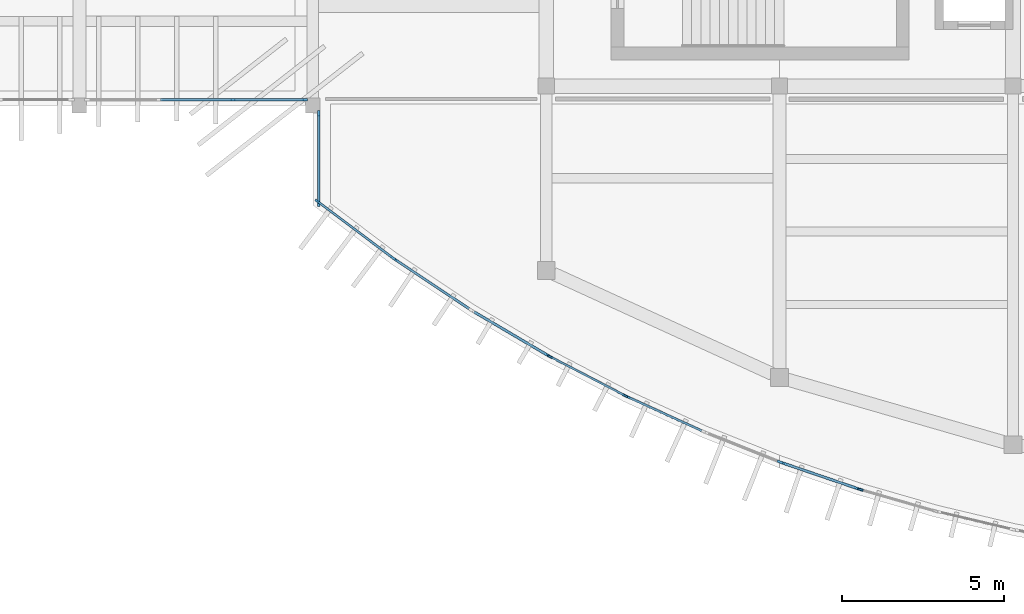
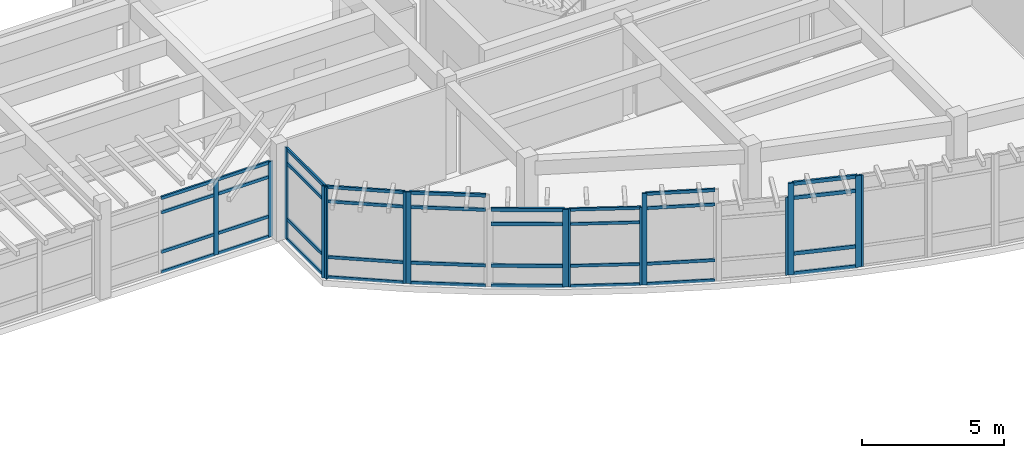
# One storey, part 18 of 60: 51 members, 10 elements without a shape of their own.
"""IFC4 building model written with IfcOpenShell, lengths in metres."""

from ifc_helpers import new_model, si_unit, direction, frame, origin, origin_2d, place, context, subcontext, project, spatial, rectangle, extrude, material, layer, layer_set, material_profile, profile_set, type_object, element, aggregate, save


model = new_model("IFC4")

# Units and contexts
model_context = context("Model", 3, precision=1e-05, world=origin(), true_north=direction((0.0, 1.0)))
body_context = subcontext(model_context, "Body", "Model", "MODEL_VIEW")
ifc_project = project(units=[si_unit("LENGTHUNIT", "METRE"), si_unit("AREAUNIT", "SQUARE_METRE"), si_unit("VOLUMEUNIT", "CUBIC_METRE"), si_unit("PLANEANGLEUNIT", "RADIAN"), si_unit("MASSUNIT", "GRAM", prefix="KILO")], contexts=[model_context])

# Site, building, storey
site_placement = place(None, origin())
site = spatial("IfcSite", under=ifc_project, at=site_placement, CompositionType="ELEMENT")
building_placement = place(site_placement, origin())
building = spatial("IfcBuilding", under=site, at=building_placement, Name="Brisavento Harbour Community Centre", CompositionType="ELEMENT")
storey_placement = place(building_placement, frame((0.0, 0.0, 4.5)))
storey = spatial("IfcBuildingStorey", under=building, at=storey_placement, Name="L01", CompositionType="ELEMENT", Elevation=4.5)

# Curtain wall, members
ifc_material = material(Name="Marine-anodised aluminium AW-6063-T6", Category="aluminium")
ifc_layer_1 = layer(ifc_material, 0.179931640625, Name="Marine-anodised aluminium AW-6063-T6")
ifc_layer_set_1 = layer_set([ifc_layer_1], Name="Marine-anodised aluminium AW-6063-T6")
curtain_wall_type_1 = type_object("IfcCurtainWallType", Name="CW-SYS-05", PredefinedType="USERDEFINED", material=ifc_layer_set_1)
curtain_wall_1_placement = place(storey_placement, origin())
curtain_wall_1 = element("IfcCurtainWall", 1, at=curtain_wall_1_placement, inside=storey, type_object=curtain_wall_type_1, Name="L01 V3 unitised curtain wall 061", ObjectType="UNITISED CURTAIN WALL", PredefinedType="USERDEFINED")
ifc_material_profile_1 = material_profile(ifc_material, rectangle(XDim=0.06494140625, YDim=0.1650390625, at=origin_2d()), Name="Marine-anodised aluminium AW-6063-T6")
ifc_profile_set_1 = profile_set([ifc_material_profile_1], Name="Marine-anodised aluminium AW-6063-T6")
member_type_1 = type_object("IfcMemberType", Name="CWM-01", PredefinedType="MULLION", material=ifc_profile_set_1)
member_1_placement = place(storey_placement, frame((117.63818359375, 5.447998046875, 0.0), z_axis=(0.0, 0.0, 1.0), x_axis=(-0.461718322689, -0.887026600781, 0.0)))
member_1 = element("IfcMember", 2, at=member_1_placement, type_object=member_type_1, Name="CW-05 mullion 1", PredefinedType="MULLION", context=body_context, shape_type="SweptSolid", body=[
    extrude(rectangle(XDim=0.06494140625, YDim=0.1650390625, at=origin_2d()), origin(), (0.0, 0.0, 1.0), 3.35009765625),
])
member_2_placement = place(storey_placement, frame((115.327880859375, 6.650634765625, 0.0), z_axis=(0.0, 0.0, 1.0), x_axis=(-0.461718322689, -0.887026600781, 0.0)))
member_2 = element("IfcMember", 3, at=member_2_placement, type_object=member_type_1, Name="CW-05 mullion 2", PredefinedType="MULLION", context=body_context, shape_type="SweptSolid", body=[
    extrude(rectangle(XDim=0.06494140625, YDim=0.1650390625, at=origin_2d()), origin(), (0.0, 0.0, 1.0), 3.35009765625),
])

# Curtain wall, member
ifc_layer_2 = layer(ifc_material, 0.179931640625, Name="Marine-anodised aluminium AW-6063-T6")
ifc_layer_set_2 = layer_set([ifc_layer_2], Name="Marine-anodised aluminium AW-6063-T6")
curtain_wall_type_2 = type_object("IfcCurtainWallType", Name="CW-SYS-09", PredefinedType="USERDEFINED", material=ifc_layer_set_2)
curtain_wall_2_placement = place(storey_placement, origin())
curtain_wall_2 = element("IfcCurtainWall", 4, at=curtain_wall_2_placement, inside=storey, type_object=curtain_wall_type_2, Name="L01 V3 unitised curtain wall 065", ObjectType="UNITISED CURTAIN WALL", PredefinedType="USERDEFINED")
member_3_placement = place(storey_placement, frame((124.8984375, 2.55419921875, 0.0), z_axis=(0.0, 0.0, 1.0), x_axis=(-0.277000545402, -0.960869761126, 0.0)))
member_3 = element("IfcMember", 5, at=member_3_placement, type_object=member_type_1, Name="CW-09 mullion 2", PredefinedType="MULLION", context=body_context, shape_type="SweptSolid", body=[
    extrude(rectangle(XDim=0.06494140625, YDim=0.1650390625, at=origin_2d()), origin(), (0.0, 0.0, 1.0), 3.949951171875),
])
aggregate(curtain_wall_2, [member_3])

# Curtain wall, members
ifc_layer_3 = layer(ifc_material, 0.179931640625, Name="Marine-anodised aluminium AW-6063-T6")
ifc_layer_set_3 = layer_set([ifc_layer_3], Name="Marine-anodised aluminium AW-6063-T6")
curtain_wall_type_3 = type_object("IfcCurtainWallType", Name="CW-SYS-22", PredefinedType="USERDEFINED", material=ifc_layer_set_3)
curtain_wall_3_placement = place(storey_placement, origin())
curtain_wall_3 = element("IfcCurtainWall", 6, at=curtain_wall_3_placement, inside=storey, type_object=curtain_wall_type_3, Name="L01 V2 unitised curtain wall 050", ObjectType="UNITISED CURTAIN WALL", PredefinedType="USERDEFINED")
ifc_material_profile_2 = material_profile(ifc_material, rectangle(XDim=0.070068359375, YDim=0.179931640625, at=origin_2d()), Name="Marine-anodised aluminium AW-6063-T6")
ifc_profile_set_2 = profile_set([ifc_material_profile_2], Name="Marine-anodised aluminium AW-6063-T6")
member_type_2 = type_object("IfcMemberType", Name="CWM-02", PredefinedType="MULLION", material=ifc_profile_set_2)
member_4_placement = place(storey_placement, frame((107.7548828125, 14.580078125, 0.0), z_axis=(0.0, 0.0, 1.0), x_axis=(0.0, -1.0, 0.0)))
member_4 = element("IfcMember", 7, at=member_4_placement, type_object=member_type_2, Name="CW-22 mullion 1", PredefinedType="MULLION", context=body_context, shape_type="SweptSolid", body=[
    extrude(rectangle(XDim=0.070068359375, YDim=0.179931640625, at=origin_2d()), origin(), (0.0, 0.0, 1.0), 3.25),
])
member_5_placement = place(storey_placement, frame((105.530029296875, 14.580078125, 0.0), z_axis=(0.0, 0.0, 1.0), x_axis=(0.0, -1.0, 0.0)))
member_5 = element("IfcMember", 8, at=member_5_placement, type_object=member_type_2, Name="CW-22 mullion 2", PredefinedType="MULLION", context=body_context, shape_type="SweptSolid", body=[
    extrude(rectangle(XDim=0.070068359375, YDim=0.179931640625, at=origin_2d()), origin(), (0.0, 0.0, 1.0), 3.25),
])

ifc_layer_4 = layer(ifc_material, 0.179931640625, Name="Marine-anodised aluminium AW-6063-T6")
ifc_layer_set_4 = layer_set([ifc_layer_4], Name="Marine-anodised aluminium AW-6063-T6")
curtain_wall_type_4 = type_object("IfcCurtainWallType", Name="CW-SYS-02", PredefinedType="USERDEFINED", material=ifc_layer_set_4)
curtain_wall_4_placement = place(storey_placement, origin())
curtain_wall_4 = element("IfcCurtainWall", 9, at=curtain_wall_4_placement, inside=storey, type_object=curtain_wall_type_4, Name="L01 V3 unitised curtain wall 058", ObjectType="UNITISED CURTAIN WALL", PredefinedType="USERDEFINED")
member_6_placement = place(storey_placement, frame((110.465576171875, 9.702392578125, 0.0), z_axis=(0.0, 0.0, 1.0), x_axis=(-0.600259014917, -0.79980567328, 0.0)))
member_6 = element("IfcMember", 10, at=member_6_placement, type_object=member_type_2, Name="CW-02 mullion 1", PredefinedType="MULLION", context=body_context, shape_type="SweptSolid", body=[
    extrude(rectangle(XDim=0.070068359375, YDim=0.179931640625, at=origin_2d()), origin(), (0.0, 0.0, 1.0), 3.949951171875),
])
member_7_placement = place(storey_placement, frame((108.150390625, 11.43994140625, 0.0), z_axis=(0.0, 0.0, 1.0), x_axis=(-0.600259014917, -0.79980567328, 0.0)))
member_7 = element("IfcMember", 11, at=member_7_placement, type_object=member_type_2, Name="CW-02 mullion 2", PredefinedType="MULLION", context=body_context, shape_type="SweptSolid", body=[
    extrude(rectangle(XDim=0.070068359375, YDim=0.179931640625, at=origin_2d()), origin(), (0.0, 0.0, 1.0), 3.949951171875),
])

# Curtain wall, member
ifc_layer_5 = layer(ifc_material, 0.179931640625, Name="Marine-anodised aluminium AW-6063-T6")
ifc_layer_set_5 = layer_set([ifc_layer_5], Name="Marine-anodised aluminium AW-6063-T6")
curtain_wall_type_5 = type_object("IfcCurtainWallType", Name="CW-SYS-06", PredefinedType="USERDEFINED", material=ifc_layer_set_5)
curtain_wall_5_placement = place(storey_placement, origin())
curtain_wall_5 = element("IfcCurtainWall", 12, at=curtain_wall_5_placement, inside=storey, type_object=curtain_wall_type_5, Name="L01 V3 unitised curtain wall 062", ObjectType="UNITISED CURTAIN WALL", PredefinedType="USERDEFINED")
member_8_placement = place(storey_placement, frame((117.72314453125, 5.40673828125, 0.0), z_axis=(0.0, 0.0, 1.0), x_axis=(-0.415490040189, -0.909597727846, 0.0)))
member_8 = element("IfcMember", 13, at=member_8_placement, type_object=member_type_2, Name="CW-06 mullion 2", PredefinedType="MULLION", context=body_context, shape_type="SweptSolid", body=[
    extrude(rectangle(XDim=0.070068359375, YDim=0.179931640625, at=origin_2d()), origin(), (0.0, 0.0, 1.0), 3.949951171875),
])

ifc_layer_6 = layer(ifc_material, 0.179931640625, Name="Marine-anodised aluminium AW-6063-T6")
ifc_layer_set_6 = layer_set([ifc_layer_6], Name="Marine-anodised aluminium AW-6063-T6")
curtain_wall_type_6 = type_object("IfcCurtainWallType", Name="CW-SYS-03", PredefinedType="USERDEFINED", material=ifc_layer_set_6)
curtain_wall_6_placement = place(storey_placement, origin())
curtain_wall_6 = element("IfcCurtainWall", 14, at=curtain_wall_6_placement, inside=storey, type_object=curtain_wall_type_6, Name="L01 V3 unitised curtain wall 059", ObjectType="UNITISED CURTAIN WALL", PredefinedType="USERDEFINED")
ifc_material_profile_3 = material_profile(ifc_material, rectangle(XDim=0.074951171875, YDim=0.18994140625, at=origin_2d()), Name="Marine-anodised aluminium AW-6063-T6")
ifc_profile_set_3 = profile_set([ifc_material_profile_3], Name="Marine-anodised aluminium AW-6063-T6")
member_type_3 = type_object("IfcMemberType", Name="CWM-03", PredefinedType="MULLION", material=ifc_profile_set_3)
member_9_placement = place(storey_placement, frame((110.5458984375, 9.6455078125, 0.0), z_axis=(0.0, 0.0, 1.0), x_axis=(-0.554067779199, -0.832471558705, 0.0)))
member_9 = element("IfcMember", 15, at=member_9_placement, type_object=member_type_3, Name="CW-03 mullion 2", PredefinedType="MULLION", context=body_context, shape_type="SweptSolid", body=[
    extrude(rectangle(XDim=0.074951171875, YDim=0.18994140625, at=origin_2d()), origin(), (0.0, 0.0, 1.0), 3.949951171875),
])

ifc_layer_7 = layer(ifc_material, 0.179931640625, Name="Marine-anodised aluminium AW-6063-T6")
ifc_layer_set_7 = layer_set([ifc_layer_7], Name="Marine-anodised aluminium AW-6063-T6")
curtain_wall_type_7 = type_object("IfcCurtainWallType", Name="CW-SYS-07", PredefinedType="USERDEFINED", material=ifc_layer_set_7)
curtain_wall_7_placement = place(storey_placement, origin())
curtain_wall_7 = element("IfcCurtainWall", 16, at=curtain_wall_7_placement, inside=storey, type_object=curtain_wall_type_7, Name="L01 V3 unitised curtain wall 063", ObjectType="UNITISED CURTAIN WALL", PredefinedType="USERDEFINED")
member_10_placement = place(storey_placement, frame((122.4150390625, 3.40234375, 0.0), z_axis=(0.0, 0.0, 1.0), x_axis=(-0.369379094613, -0.929278798027, 0.0)))
member_10 = element("IfcMember", 17, at=member_10_placement, type_object=member_type_3, Name="CW-07 mullion 1", PredefinedType="MULLION", context=body_context, shape_type="SweptSolid", body=[
    extrude(rectangle(XDim=0.074951171875, YDim=0.18994140625, at=origin_2d()), origin(), (0.0, 0.0, 1.0), 3.35009765625),
])
aggregate(curtain_wall_7, [member_10])

# Curtain wall, members
curtain_wall_8_placement = place(storey_placement, origin())
curtain_wall_8 = element("IfcCurtainWall", 18, at=curtain_wall_8_placement, inside=storey, type_object=curtain_wall_type_7, Name="L01 V3 unitised curtain wall 091", ObjectType="UNITISED CURTAIN WALL", PredefinedType="USERDEFINED")
member_11_placement = place(storey_placement, frame((108.179931640625, 11.38330078125, 0.0), z_axis=(0.0, 0.0, 1.0), x_axis=(-1.0, 0.0, 0.0)))
member_11 = element("IfcMember", 19, at=member_11_placement, type_object=member_type_3, Name="CW-07 mullion 1", PredefinedType="MULLION", context=body_context, shape_type="SweptSolid", body=[
    extrude(rectangle(XDim=0.074951171875, YDim=0.18994140625, at=origin_2d()), origin(), (0.0, 0.0, 1.0), 3.949951171875),
])
member_12_placement = place(storey_placement, frame((108.179931640625, 14.152587890625, 0.0), z_axis=(0.0, 0.0, 1.0), x_axis=(-1.0, 0.0, 0.0)))
member_12 = element("IfcMember", 20, at=member_12_placement, type_object=member_type_3, Name="CW-07 mullion 2", PredefinedType="MULLION", context=body_context, shape_type="SweptSolid", body=[
    extrude(rectangle(XDim=0.074951171875, YDim=0.18994140625, at=origin_2d()), origin(), (0.0, 0.0, 1.0), 3.949951171875),
])

# Curtain wall, member
ifc_layer_8 = layer(ifc_material, 0.179931640625, Name="Marine-anodised aluminium AW-6063-T6")
ifc_layer_set_8 = layer_set([ifc_layer_8], Name="Marine-anodised aluminium AW-6063-T6")
curtain_wall_type_8 = type_object("IfcCurtainWallType", Name="CW-SYS-04", PredefinedType="USERDEFINED", material=ifc_layer_set_8)
curtain_wall_9_placement = place(storey_placement, origin())
curtain_wall_9 = element("IfcCurtainWall", 21, at=curtain_wall_9_placement, inside=storey, type_object=curtain_wall_type_8, Name="L01 V3 unitised curtain wall 060", ObjectType="UNITISED CURTAIN WALL", PredefinedType="USERDEFINED")
ifc_material_profile_4 = material_profile(ifc_material, rectangle(XDim=0.080078125, YDim=0.2099609375, at=origin_2d()), Name="Marine-anodised aluminium AW-6063-T6")
ifc_profile_set_4 = profile_set([ifc_material_profile_4], Name="Marine-anodised aluminium AW-6063-T6")
member_type_4 = type_object("IfcMemberType", Name="CWM-04", PredefinedType="MULLION", material=ifc_profile_set_4)
member_13_placement = place(storey_placement, frame((115.241455078125, 6.69873046875, 0.0), z_axis=(0.0, 0.0, 1.0), x_axis=(-0.50787640703, -0.861429947925, 0.0)))
member_13 = element("IfcMember", 22, at=member_13_placement, type_object=member_type_4, Name="CW-04 mullion 1", PredefinedType="MULLION", context=body_context, shape_type="SweptSolid", body=[
    extrude(rectangle(XDim=0.080078125, YDim=0.2099609375, at=origin_2d()), origin(), (0.0, 0.0, 1.0), 3.35009765625),
])

# Curtain wall, members
ifc_layer_9 = layer(ifc_material, 0.179931640625, Name="Marine-anodised aluminium AW-6063-T6")
ifc_layer_set_9 = layer_set([ifc_layer_9], Name="Marine-anodised aluminium AW-6063-T6")
curtain_wall_type_9 = type_object("IfcCurtainWallType", Name="CW-SYS-08", PredefinedType="USERDEFINED", material=ifc_layer_set_9)
curtain_wall_10_placement = place(storey_placement, origin())
curtain_wall_10 = element("IfcCurtainWall", 23, at=curtain_wall_10_placement, inside=storey, type_object=curtain_wall_type_9, Name="L01 V3 unitised curtain wall 064", ObjectType="UNITISED CURTAIN WALL", PredefinedType="USERDEFINED")
member_14_placement = place(storey_placement, frame((124.803466796875, 2.584228515625, 0.0), z_axis=(0.0, 0.0, 1.0), x_axis=(-0.32317880016, -0.94633792227, 0.0)))
member_14 = element("IfcMember", 24, at=member_14_placement, type_object=member_type_4, Name="CW-08 mullion 1", PredefinedType="MULLION", context=body_context, shape_type="SweptSolid", body=[
    extrude(rectangle(XDim=0.080078125, YDim=0.2099609375, at=origin_2d()), origin(), (0.0, 0.0, 1.0), 3.949951171875),
])
member_15_placement = place(storey_placement, frame((122.512939453125, 3.366455078125, 0.0), z_axis=(0.0, 0.0, 1.0), x_axis=(-0.32317880016, -0.94633792227, 0.0)))
member_15 = element("IfcMember", 25, at=member_15_placement, type_object=member_type_4, Name="CW-08 mullion 2", PredefinedType="MULLION", context=body_context, shape_type="SweptSolid", body=[
    extrude(rectangle(XDim=0.080078125, YDim=0.2099609375, at=origin_2d()), origin(), (0.0, 0.0, 1.0), 3.949951171875),
])

# Member
ifc_material_profile_5 = material_profile(ifc_material, rectangle(XDim=0.06494140625, YDim=0.125, at=origin_2d()), Name="Marine-anodised aluminium AW-6063-T6")
ifc_profile_set_5 = profile_set([ifc_material_profile_5], Name="Marine-anodised aluminium AW-6063-T6")
member_type_5 = type_object("IfcMemberType", Name="CWT-01", PredefinedType="USERDEFINED", material=ifc_profile_set_5)
member_16_placement = place(storey_placement, frame((117.609375, 5.462890625, 0.032470703125), z_axis=(-0.887021549542, 0.461728026709, 0.0), x_axis=(-0.461728026709, -0.887021549542, 0.0)))
member_16 = element("IfcMember", 26, at=member_16_placement, type_object=member_type_5, Name="CW-05 transom 1.1", ObjectType="TRANSOM", PredefinedType="USERDEFINED", context=body_context, shape_type="SweptSolid", body=[
    extrude(rectangle(XDim=0.06494140625, YDim=0.125, at=origin_2d()), origin(), (0.0, 0.0, 1.0), 2.53955078125),
])

member_17_placement = place(storey_placement, frame((117.609375, 5.462890625, 0.89990234375), z_axis=(-0.887021549542, 0.461728026709, 0.0), x_axis=(-0.461728026709, -0.887021549542, 0.0)))
member_17 = element("IfcMember", 27, at=member_17_placement, type_object=member_type_5, Name="CW-05 transom 1.2", ObjectType="TRANSOM", PredefinedType="USERDEFINED", context=body_context, shape_type="SweptSolid", body=[
    extrude(rectangle(XDim=0.06494140625, YDim=0.125, at=origin_2d()), origin(), (0.0, 0.0, 1.0), 2.53955078125),
])

member_18_placement = place(storey_placement, frame((117.609375, 5.462890625, 2.699951171875), z_axis=(-0.887021549542, 0.461728026709, 0.0), x_axis=(-0.461728026709, -0.887021549542, 0.0)))
member_18 = element("IfcMember", 28, at=member_18_placement, type_object=member_type_5, Name="CW-05 transom 1.3", ObjectType="TRANSOM", PredefinedType="USERDEFINED", context=body_context, shape_type="SweptSolid", body=[
    extrude(rectangle(XDim=0.06494140625, YDim=0.125, at=origin_2d()), origin(), (0.0, 0.0, 1.0), 2.53955078125),
])

member_19_placement = place(storey_placement, frame((117.609375, 5.462890625, 3.3173828125), z_axis=(-0.887021549542, 0.461728026709, 0.0), x_axis=(-0.461728026709, -0.887021549542, 0.0)))
member_19 = element("IfcMember", 29, at=member_19_placement, type_object=member_type_5, Name="CW-05 transom 1.4", ObjectType="TRANSOM", PredefinedType="USERDEFINED", context=body_context, shape_type="SweptSolid", body=[
    extrude(rectangle(XDim=0.06494140625, YDim=0.125, at=origin_2d()), origin(), (0.0, 0.0, 1.0), 2.53955078125),
])

aggregate(curtain_wall_1, [member_1, member_2, member_16, member_17, member_18, member_19])

ifc_material_profile_6 = material_profile(ifc_material, rectangle(XDim=0.070068359375, YDim=0.132080078125, at=origin_2d()), Name="Marine-anodised aluminium AW-6063-T6")
ifc_profile_set_6 = profile_set([ifc_material_profile_6], Name="Marine-anodised aluminium AW-6063-T6")
member_type_6 = type_object("IfcMemberType", Name="CWT-02", PredefinedType="USERDEFINED", material=ifc_profile_set_6)
member_20_placement = place(storey_placement, frame((107.719970703125, 14.580078125, 0.034912109375), z_axis=(-1.0, 0.0, 0.0), x_axis=(0.0, -1.0, 0.0)))
member_20 = element("IfcMember", 30, at=member_20_placement, type_object=member_type_6, Name="CW-22 transom 1.1", ObjectType="TRANSOM", PredefinedType="USERDEFINED", context=body_context, shape_type="SweptSolid", body=[
    extrude(rectangle(XDim=0.070068359375, YDim=0.132080078125, at=origin_2d()), origin(), (0.0, 0.0, 1.0), 2.155029296875),
])

member_21_placement = place(storey_placement, frame((107.719970703125, 14.580078125, 0.89990234375), z_axis=(-1.0, 0.0, 0.0), x_axis=(0.0, -1.0, 0.0)))
member_21 = element("IfcMember", 31, at=member_21_placement, type_object=member_type_6, Name="CW-22 transom 1.2", ObjectType="TRANSOM", PredefinedType="USERDEFINED", context=body_context, shape_type="SweptSolid", body=[
    extrude(rectangle(XDim=0.070068359375, YDim=0.132080078125, at=origin_2d()), origin(), (0.0, 0.0, 1.0), 2.155029296875),
])

member_22_placement = place(storey_placement, frame((107.719970703125, 14.580078125, 2.60009765625), z_axis=(-1.0, 0.0, 0.0), x_axis=(0.0, -1.0, 0.0)))
member_22 = element("IfcMember", 32, at=member_22_placement, type_object=member_type_6, Name="CW-22 transom 1.3", ObjectType="TRANSOM", PredefinedType="USERDEFINED", context=body_context, shape_type="SweptSolid", body=[
    extrude(rectangle(XDim=0.070068359375, YDim=0.132080078125, at=origin_2d()), origin(), (0.0, 0.0, 1.0), 2.155029296875),
])

member_23_placement = place(storey_placement, frame((107.719970703125, 14.580078125, 3.215087890625), z_axis=(-1.0, 0.0, 0.0), x_axis=(0.0, -1.0, 0.0)))
member_23 = element("IfcMember", 33, at=member_23_placement, type_object=member_type_6, Name="CW-22 transom 1.4", ObjectType="TRANSOM", PredefinedType="USERDEFINED", context=body_context, shape_type="SweptSolid", body=[
    extrude(rectangle(XDim=0.070068359375, YDim=0.132080078125, at=origin_2d()), origin(), (0.0, 0.0, 1.0), 2.155029296875),
])

member_24_placement = place(storey_placement, frame((105.4951171875, 14.580078125, 0.034912109375), z_axis=(-1.0, 0.0, 0.0), x_axis=(0.0, -1.0, 0.0)))
member_24 = element("IfcMember", 34, at=member_24_placement, type_object=member_type_6, Name="CW-22 transom 2.1", ObjectType="TRANSOM", PredefinedType="USERDEFINED", context=body_context, shape_type="SweptSolid", body=[
    extrude(rectangle(XDim=0.070068359375, YDim=0.132080078125, at=origin_2d()), origin(), (0.0, 0.0, 1.0), 2.190185546875),
])

member_25_placement = place(storey_placement, frame((105.4951171875, 14.580078125, 0.89990234375), z_axis=(-1.0, 0.0, 0.0), x_axis=(0.0, -1.0, 0.0)))
member_25 = element("IfcMember", 35, at=member_25_placement, type_object=member_type_6, Name="CW-22 transom 2.2", ObjectType="TRANSOM", PredefinedType="USERDEFINED", context=body_context, shape_type="SweptSolid", body=[
    extrude(rectangle(XDim=0.070068359375, YDim=0.132080078125, at=origin_2d()), origin(), (0.0, 0.0, 1.0), 2.190185546875),
])

member_26_placement = place(storey_placement, frame((105.4951171875, 14.580078125, 2.60009765625), z_axis=(-1.0, 0.0, 0.0), x_axis=(0.0, -1.0, 0.0)))
member_26 = element("IfcMember", 36, at=member_26_placement, type_object=member_type_6, Name="CW-22 transom 2.3", ObjectType="TRANSOM", PredefinedType="USERDEFINED", context=body_context, shape_type="SweptSolid", body=[
    extrude(rectangle(XDim=0.070068359375, YDim=0.132080078125, at=origin_2d()), origin(), (0.0, 0.0, 1.0), 2.190185546875),
])

member_27_placement = place(storey_placement, frame((105.4951171875, 14.580078125, 3.215087890625), z_axis=(-1.0, 0.0, 0.0), x_axis=(0.0, -1.0, 0.0)))
member_27 = element("IfcMember", 37, at=member_27_placement, type_object=member_type_6, Name="CW-22 transom 2.4", ObjectType="TRANSOM", PredefinedType="USERDEFINED", context=body_context, shape_type="SweptSolid", body=[
    extrude(rectangle(XDim=0.070068359375, YDim=0.132080078125, at=origin_2d()), origin(), (0.0, 0.0, 1.0), 2.190185546875),
])

aggregate(curtain_wall_3, [member_4, member_5, member_20, member_21, member_22, member_23, member_24, member_25, member_26, member_27])

member_28_placement = place(storey_placement, frame((110.4375, 9.723388671875, 0.034912109375), z_axis=(-0.799782131336, 0.600290381728, 0.0), x_axis=(-0.600290381728, -0.799782131336, 0.0)))
member_28 = element("IfcMember", 38, at=member_28_placement, type_object=member_type_6, Name="CW-02 transom 1.1", ObjectType="TRANSOM", PredefinedType="USERDEFINED", context=body_context, shape_type="SweptSolid", body=[
    extrude(rectangle(XDim=0.070068359375, YDim=0.132080078125, at=origin_2d()), origin(), (0.0, 0.0, 1.0), 2.824462890625),
])

member_29_placement = place(storey_placement, frame((110.4375, 9.723388671875, 0.89990234375), z_axis=(-0.799782131336, 0.600290381728, 0.0), x_axis=(-0.600290381728, -0.799782131336, 0.0)))
member_29 = element("IfcMember", 39, at=member_29_placement, type_object=member_type_6, Name="CW-02 transom 1.2", ObjectType="TRANSOM", PredefinedType="USERDEFINED", context=body_context, shape_type="SweptSolid", body=[
    extrude(rectangle(XDim=0.070068359375, YDim=0.132080078125, at=origin_2d()), origin(), (0.0, 0.0, 1.0), 2.824462890625),
])

member_30_placement = place(storey_placement, frame((110.4375, 9.723388671875, 3.300048828125), z_axis=(-0.799782131336, 0.600290381728, 0.0), x_axis=(-0.600290381728, -0.799782131336, 0.0)))
member_30 = element("IfcMember", 40, at=member_30_placement, type_object=member_type_6, Name="CW-02 transom 1.3", ObjectType="TRANSOM", PredefinedType="USERDEFINED", context=body_context, shape_type="SweptSolid", body=[
    extrude(rectangle(XDim=0.070068359375, YDim=0.132080078125, at=origin_2d()), origin(), (0.0, 0.0, 1.0), 2.824462890625),
])

member_31_placement = place(storey_placement, frame((110.4375, 9.723388671875, 3.9150390625), z_axis=(-0.799782131336, 0.600290381728, 0.0), x_axis=(-0.600290381728, -0.799782131336, 0.0)))
member_31 = element("IfcMember", 41, at=member_31_placement, type_object=member_type_6, Name="CW-02 transom 1.4", ObjectType="TRANSOM", PredefinedType="USERDEFINED", context=body_context, shape_type="SweptSolid", body=[
    extrude(rectangle(XDim=0.070068359375, YDim=0.132080078125, at=origin_2d()), origin(), (0.0, 0.0, 1.0), 2.824462890625),
])

aggregate(curtain_wall_4, [member_6, member_7, member_28, member_29, member_30, member_31])

member_32_placement = place(storey_placement, frame((119.99462890625, 4.368896484375, 0.034912109375), z_axis=(-0.909580489128, 0.415527777408, 0.0), x_axis=(-0.415527777408, -0.909580489128, 0.0)))
member_32 = element("IfcMember", 42, at=member_32_placement, type_object=member_type_6, Name="CW-06 transom 1.1", ObjectType="TRANSOM", PredefinedType="USERDEFINED", context=body_context, shape_type="SweptSolid", body=[
    extrude(rectangle(XDim=0.070068359375, YDim=0.132080078125, at=origin_2d()), origin(), (0.0, 0.0, 1.0), 2.46240234375),
])

member_33_placement = place(storey_placement, frame((119.99462890625, 4.368896484375, 0.89990234375), z_axis=(-0.909580489128, 0.415527777408, 0.0), x_axis=(-0.415527777408, -0.909580489128, 0.0)))
member_33 = element("IfcMember", 43, at=member_33_placement, type_object=member_type_6, Name="CW-06 transom 1.2", ObjectType="TRANSOM", PredefinedType="USERDEFINED", context=body_context, shape_type="SweptSolid", body=[
    extrude(rectangle(XDim=0.070068359375, YDim=0.132080078125, at=origin_2d()), origin(), (0.0, 0.0, 1.0), 2.46240234375),
])

member_34_placement = place(storey_placement, frame((119.99462890625, 4.368896484375, 3.300048828125), z_axis=(-0.909580489128, 0.415527777408, 0.0), x_axis=(-0.415527777408, -0.909580489128, 0.0)))
member_34 = element("IfcMember", 44, at=member_34_placement, type_object=member_type_6, Name="CW-06 transom 1.3", ObjectType="TRANSOM", PredefinedType="USERDEFINED", context=body_context, shape_type="SweptSolid", body=[
    extrude(rectangle(XDim=0.070068359375, YDim=0.132080078125, at=origin_2d()), origin(), (0.0, 0.0, 1.0), 2.46240234375),
])

member_35_placement = place(storey_placement, frame((119.99462890625, 4.368896484375, 3.9150390625), z_axis=(-0.909580489128, 0.415527777408, 0.0), x_axis=(-0.415527777408, -0.909580489128, 0.0)))
member_35 = element("IfcMember", 45, at=member_35_placement, type_object=member_type_6, Name="CW-06 transom 1.4", ObjectType="TRANSOM", PredefinedType="USERDEFINED", context=body_context, shape_type="SweptSolid", body=[
    extrude(rectangle(XDim=0.070068359375, YDim=0.132080078125, at=origin_2d()), origin(), (0.0, 0.0, 1.0), 2.46240234375),
])

aggregate(curtain_wall_5, [member_8, member_32, member_33, member_34, member_35])

ifc_material_profile_7 = material_profile(ifc_material, rectangle(XDim=0.074951171875, YDim=0.139892578125, at=origin_2d()), Name="Marine-anodised aluminium AW-6063-T6")
ifc_profile_set_7 = profile_set([ifc_material_profile_7], Name="Marine-anodised aluminium AW-6063-T6")
member_type_7 = type_object("IfcMemberType", Name="CWT-03", PredefinedType="USERDEFINED", material=ifc_profile_set_7)
member_36_placement = place(storey_placement, frame((112.822265625, 8.130615234375, 0.03759765625), z_axis=(-0.8324957022, 0.554031502551, 0.0), x_axis=(-0.554031502551, -0.8324957022, 0.0)))
member_36 = element("IfcMember", 46, at=member_36_placement, type_object=member_type_7, Name="CW-03 transom 1.1", ObjectType="TRANSOM", PredefinedType="USERDEFINED", context=body_context, shape_type="SweptSolid", body=[
    extrude(rectangle(XDim=0.074951171875, YDim=0.139892578125, at=origin_2d()), origin(), (0.0, 0.0, 1.0), 2.69677734375),
])

member_37_placement = place(storey_placement, frame((112.822265625, 8.130615234375, 0.89990234375), z_axis=(-0.8324957022, 0.554031502551, 0.0), x_axis=(-0.554031502551, -0.8324957022, 0.0)))
member_37 = element("IfcMember", 47, at=member_37_placement, type_object=member_type_7, Name="CW-03 transom 1.2", ObjectType="TRANSOM", PredefinedType="USERDEFINED", context=body_context, shape_type="SweptSolid", body=[
    extrude(rectangle(XDim=0.074951171875, YDim=0.139892578125, at=origin_2d()), origin(), (0.0, 0.0, 1.0), 2.69677734375),
])

member_38_placement = place(storey_placement, frame((112.822265625, 8.130615234375, 3.300048828125), z_axis=(-0.8324957022, 0.554031502551, 0.0), x_axis=(-0.554031502551, -0.8324957022, 0.0)))
member_38 = element("IfcMember", 48, at=member_38_placement, type_object=member_type_7, Name="CW-03 transom 1.3", ObjectType="TRANSOM", PredefinedType="USERDEFINED", context=body_context, shape_type="SweptSolid", body=[
    extrude(rectangle(XDim=0.074951171875, YDim=0.139892578125, at=origin_2d()), origin(), (0.0, 0.0, 1.0), 2.69677734375),
])

member_39_placement = place(storey_placement, frame((112.822265625, 8.130615234375, 3.91259765625), z_axis=(-0.8324957022, 0.554031502551, 0.0), x_axis=(-0.554031502551, -0.8324957022, 0.0)))
member_39 = element("IfcMember", 49, at=member_39_placement, type_object=member_type_7, Name="CW-03 transom 1.4", ObjectType="TRANSOM", PredefinedType="USERDEFINED", context=body_context, shape_type="SweptSolid", body=[
    extrude(rectangle(XDim=0.074951171875, YDim=0.139892578125, at=origin_2d()), origin(), (0.0, 0.0, 1.0), 2.69677734375),
])

aggregate(curtain_wall_6, [member_9, member_36, member_37, member_38, member_39])

member_40_placement = place(storey_placement, frame((108.179931640625, 11.420654296875, 0.03759765625), z_axis=(0.0, 1.0, 0.0), x_axis=(-1.0, 0.0, 0.0)))
member_40 = element("IfcMember", 50, at=member_40_placement, type_object=member_type_7, Name="CW-07 transom 1.1", ObjectType="TRANSOM", PredefinedType="USERDEFINED", context=body_context, shape_type="SweptSolid", body=[
    extrude(rectangle(XDim=0.074951171875, YDim=0.139892578125, at=origin_2d()), origin(), (0.0, 0.0, 1.0), 2.6943359375),
])

member_41_placement = place(storey_placement, frame((108.179931640625, 11.420654296875, 0.89990234375), z_axis=(0.0, 1.0, 0.0), x_axis=(-1.0, 0.0, 0.0)))
member_41 = element("IfcMember", 51, at=member_41_placement, type_object=member_type_7, Name="CW-07 transom 1.2", ObjectType="TRANSOM", PredefinedType="USERDEFINED", context=body_context, shape_type="SweptSolid", body=[
    extrude(rectangle(XDim=0.074951171875, YDim=0.139892578125, at=origin_2d()), origin(), (0.0, 0.0, 1.0), 2.6943359375),
])

member_42_placement = place(storey_placement, frame((108.179931640625, 11.420654296875, 3.300048828125), z_axis=(0.0, 1.0, 0.0), x_axis=(-1.0, 0.0, 0.0)))
member_42 = element("IfcMember", 52, at=member_42_placement, type_object=member_type_7, Name="CW-07 transom 1.3", ObjectType="TRANSOM", PredefinedType="USERDEFINED", context=body_context, shape_type="SweptSolid", body=[
    extrude(rectangle(XDim=0.074951171875, YDim=0.139892578125, at=origin_2d()), origin(), (0.0, 0.0, 1.0), 2.6943359375),
])

member_43_placement = place(storey_placement, frame((108.179931640625, 11.420654296875, 3.91259765625), z_axis=(0.0, 1.0, 0.0), x_axis=(-1.0, 0.0, 0.0)))
member_43 = element("IfcMember", 53, at=member_43_placement, type_object=member_type_7, Name="CW-07 transom 1.4", ObjectType="TRANSOM", PredefinedType="USERDEFINED", context=body_context, shape_type="SweptSolid", body=[
    extrude(rectangle(XDim=0.074951171875, YDim=0.139892578125, at=origin_2d()), origin(), (0.0, 0.0, 1.0), 2.6943359375),
])

aggregate(curtain_wall_8, [member_11, member_12, member_40, member_41, member_42, member_43])

ifc_material_profile_8 = material_profile(ifc_material, rectangle(XDim=0.080078125, YDim=0.155029296875, at=origin_2d()), Name="Marine-anodised aluminium AW-6063-T6")
ifc_profile_set_8 = profile_set([ifc_material_profile_8], Name="Marine-anodised aluminium AW-6063-T6")
member_type_8 = type_object("IfcMemberType", Name="CWT-04", PredefinedType="USERDEFINED", material=ifc_profile_set_8)
member_44_placement = place(storey_placement, frame((115.20703125, 6.718994140625, 0.0400390625), z_axis=(-0.861434635728, 0.507868455772, 0.0), x_axis=(-0.507868455772, -0.861434635728, 0.0)))
member_44 = element("IfcMember", 54, at=member_44_placement, type_object=member_type_8, Name="CW-04 transom 1.1", ObjectType="TRANSOM", PredefinedType="USERDEFINED", context=body_context, shape_type="SweptSolid", body=[
    extrude(rectangle(XDim=0.080078125, YDim=0.155029296875, at=origin_2d()), origin(), (0.0, 0.0, 1.0), 2.590087890625),
])

member_45_placement = place(storey_placement, frame((115.20703125, 6.718994140625, 0.89990234375), z_axis=(-0.861434635728, 0.507868455772, 0.0), x_axis=(-0.507868455772, -0.861434635728, 0.0)))
member_45 = element("IfcMember", 55, at=member_45_placement, type_object=member_type_8, Name="CW-04 transom 1.2", ObjectType="TRANSOM", PredefinedType="USERDEFINED", context=body_context, shape_type="SweptSolid", body=[
    extrude(rectangle(XDim=0.080078125, YDim=0.155029296875, at=origin_2d()), origin(), (0.0, 0.0, 1.0), 2.590087890625),
])

member_46_placement = place(storey_placement, frame((115.20703125, 6.718994140625, 2.699951171875), z_axis=(-0.861434635728, 0.507868455772, 0.0), x_axis=(-0.507868455772, -0.861434635728, 0.0)))
member_46 = element("IfcMember", 56, at=member_46_placement, type_object=member_type_8, Name="CW-04 transom 1.3", ObjectType="TRANSOM", PredefinedType="USERDEFINED", context=body_context, shape_type="SweptSolid", body=[
    extrude(rectangle(XDim=0.080078125, YDim=0.155029296875, at=origin_2d()), origin(), (0.0, 0.0, 1.0), 2.590087890625),
])

member_47_placement = place(storey_placement, frame((115.20703125, 6.718994140625, 3.31005859375), z_axis=(-0.861434635728, 0.507868455772, 0.0), x_axis=(-0.507868455772, -0.861434635728, 0.0)))
member_47 = element("IfcMember", 57, at=member_47_placement, type_object=member_type_8, Name="CW-04 transom 1.4", ObjectType="TRANSOM", PredefinedType="USERDEFINED", context=body_context, shape_type="SweptSolid", body=[
    extrude(rectangle(XDim=0.080078125, YDim=0.155029296875, at=origin_2d()), origin(), (0.0, 0.0, 1.0), 2.590087890625),
])

aggregate(curtain_wall_9, [member_13, member_44, member_45, member_46, member_47])

member_48_placement = place(storey_placement, frame((124.765380859375, 2.59716796875, 0.0400390625), z_axis=(-0.946320280274, 0.323230455159, 0.0), x_axis=(-0.323230455159, -0.946320280274, 0.0)))
member_48 = element("IfcMember", 58, at=member_48_placement, type_object=member_type_8, Name="CW-08 transom 1.1", ObjectType="TRANSOM", PredefinedType="USERDEFINED", context=body_context, shape_type="SweptSolid", body=[
    extrude(rectangle(XDim=0.080078125, YDim=0.155029296875, at=origin_2d()), origin(), (0.0, 0.0, 1.0), 2.33984375),
])

member_49_placement = place(storey_placement, frame((124.765380859375, 2.59716796875, 0.89990234375), z_axis=(-0.946320280274, 0.323230455159, 0.0), x_axis=(-0.323230455159, -0.946320280274, 0.0)))
member_49 = element("IfcMember", 59, at=member_49_placement, type_object=member_type_8, Name="CW-08 transom 1.2", ObjectType="TRANSOM", PredefinedType="USERDEFINED", context=body_context, shape_type="SweptSolid", body=[
    extrude(rectangle(XDim=0.080078125, YDim=0.155029296875, at=origin_2d()), origin(), (0.0, 0.0, 1.0), 2.33984375),
])

member_50_placement = place(storey_placement, frame((124.765380859375, 2.59716796875, 3.300048828125), z_axis=(-0.946320280274, 0.323230455159, 0.0), x_axis=(-0.323230455159, -0.946320280274, 0.0)))
member_50 = element("IfcMember", 60, at=member_50_placement, type_object=member_type_8, Name="CW-08 transom 1.3", ObjectType="TRANSOM", PredefinedType="USERDEFINED", context=body_context, shape_type="SweptSolid", body=[
    extrude(rectangle(XDim=0.080078125, YDim=0.155029296875, at=origin_2d()), origin(), (0.0, 0.0, 1.0), 2.33984375),
])

member_51_placement = place(storey_placement, frame((124.765380859375, 2.59716796875, 3.909912109375), z_axis=(-0.946320280274, 0.323230455159, 0.0), x_axis=(-0.323230455159, -0.946320280274, 0.0)))
member_51 = element("IfcMember", 61, at=member_51_placement, type_object=member_type_8, Name="CW-08 transom 1.4", ObjectType="TRANSOM", PredefinedType="USERDEFINED", context=body_context, shape_type="SweptSolid", body=[
    extrude(rectangle(XDim=0.080078125, YDim=0.155029296875, at=origin_2d()), origin(), (0.0, 0.0, 1.0), 2.33984375),
])

aggregate(curtain_wall_10, [member_14, member_15, member_48, member_49, member_50, member_51])

save(model, "model.ifc")
